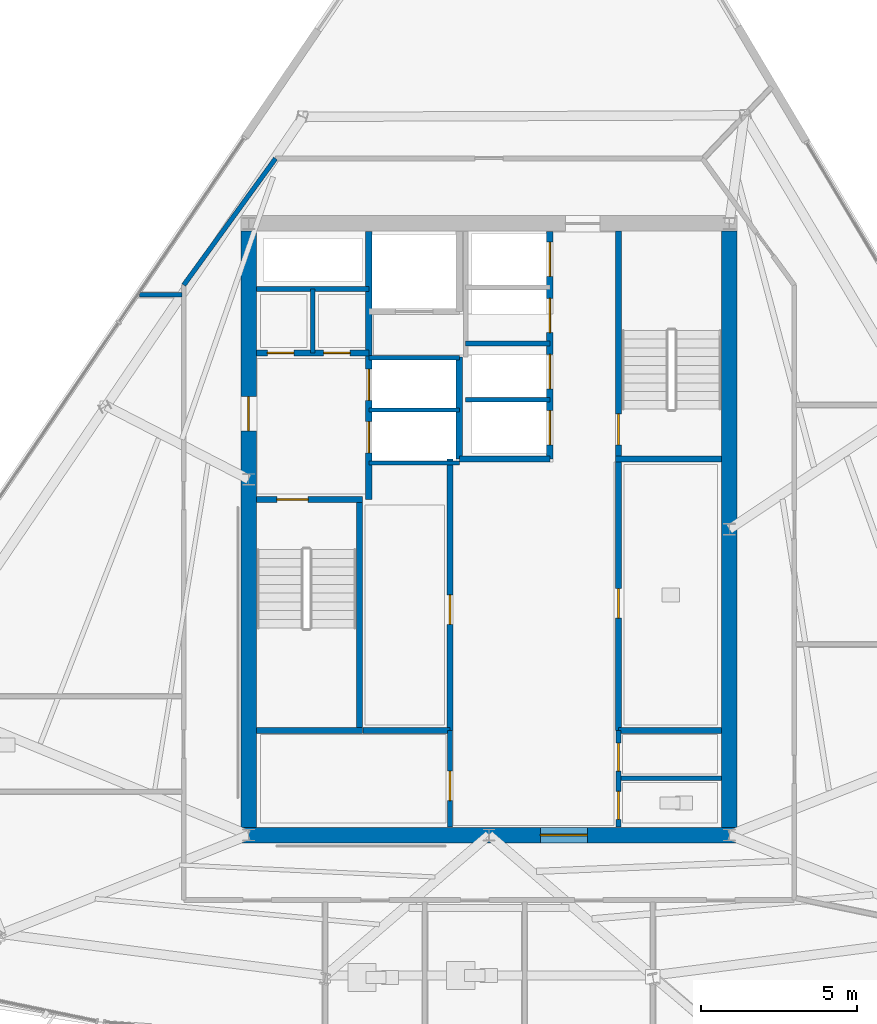
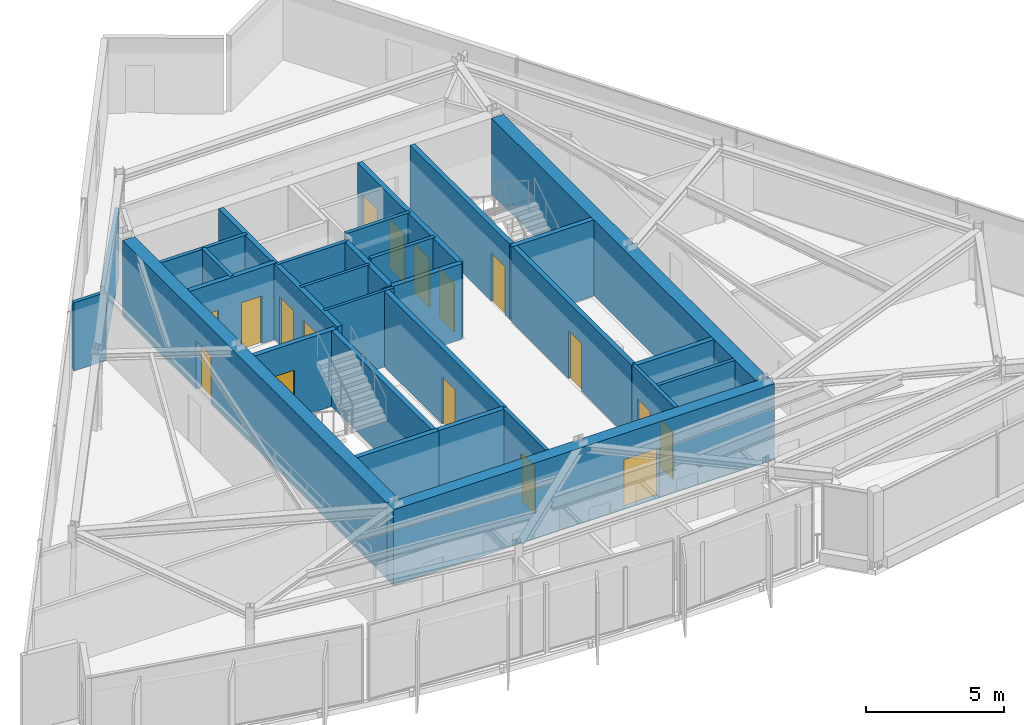
# One storey, part 7 of 12: 29 walls, 17 doors, 17 openings.
"""IFC4 building model written with IfcOpenShell, lengths in metres."""

from ifc_helpers import new_model, si_unit, direction, frame, frame_2d, origin, place, context, subcontext, project, spatial, rectangle, extrude, material, layer, layer_set, type_object, element, fill, save


model = new_model("IFC4")

# Units and contexts
model_context = context("Model", 3, precision=1e-05, world=origin(), true_north=direction((0.0, 1.0)))
body_context = subcontext(model_context, "Body", "Model", "MODEL_VIEW")
ifc_project = project(units=[si_unit("LENGTHUNIT", "METRE"), si_unit("AREAUNIT", "SQUARE_METRE"), si_unit("VOLUMEUNIT", "CUBIC_METRE"), si_unit("PLANEANGLEUNIT", "RADIAN"), si_unit("MASSUNIT", "GRAM", prefix="KILO")], contexts=[model_context])

# Site, building, storey
site_placement = place(None, origin())
site = spatial("IfcSite", under=ifc_project, at=site_placement, CompositionType="ELEMENT")
building_placement = place(site_placement, origin())
building = spatial("IfcBuilding", under=site, at=building_placement, Name="Savorim Split Tower", CompositionType="ELEMENT")
storey_placement = place(building_placement, frame((0.0, 0.0, 261.60009765625)))
storey = spatial("IfcBuildingStorey", under=building, at=storey_placement, Name="L69", CompositionType="ELEMENT", Elevation=261.60009765625)

# Wall, opening, door
ifc_material_1 = material(Name="Concrete C60/75", Category="concrete")
ifc_layer_1 = layer(ifc_material_1, 0.5)
ifc_layer_set_1 = layer_set([ifc_layer_1], Name="WAL-COR-SH500")
wall_type_1 = type_object("IfcWallType", Name="WAL-COR-SH500", PredefinedType="SHEAR", material=ifc_layer_set_1)
wall_1_placement = place(storey_placement, frame((-7.949951171875, -9.39990234375, 0.0), z_axis=(0.0, 0.0, 1.0), x_axis=(1.0, 0.0, 0.0)))
wall_1 = element("IfcWall", 1, at=wall_1_placement, inside=storey, type_object=wall_type_1, Name="L69 Offset Core South Shear Wall", PredefinedType="SHEAR", context=body_context, shape_type="SweptSolid", body=[
    extrude(rectangle(XDim=15.89990234375, YDim=0.5, at=frame_2d((7.949951171875, 0.0))), origin(), (0.0, 0.0, 1.0), 3.349853515625),
])
opening_1_placement = place(wall_1_placement, frame((9.60009765625, 0.0, 0.0)))
opening_1 = element("IfcOpeningElement", 2, at=opening_1_placement, cuts=wall_1, Name="Opening DI-02", PredefinedType="OPENING", context=body_context, shape_type="SweptSolid", body=[
    extrude(rectangle(XDim=1.5, YDim=2.199951171875, at=frame_2d((0.75, 1.10009765625))), frame((0.0, 0.260009765625, 0.0), z_axis=(0.0, -1.0, 0.0), x_axis=(1.0, 0.0, 0.0)), (0.0, 0.0, 1.0), 0.52001953125),
])
ifc_material_2 = material(Name="Timber Fire Door Leaf", Category="wood")
door_type_1 = type_object("IfcDoorType", Name="DOR-DBL-1500", OperationType="NOTDEFINED", PredefinedType="DOOR", material=ifc_material_2)
door_1_placement = place(opening_1_placement, origin())
door_1 = element("IfcDoor", 3, at=door_1_placement, inside=storey, type_object=door_type_1, Name="DOR-L69-COR-LLOB - L69 Lift Lobby Main Rated Door", OperationType="DOUBLE_DOOR_SINGLE_SWING", OverallHeight=2.199951171875, OverallWidth=1.5, PredefinedType="DOOR", context=body_context, shape_type="SweptSolid", body=[
    extrude(rectangle(XDim=1.5, YDim=2.199951171875, at=frame_2d((0.75, 1.10009765625))), frame((0.0, 0.02490234375, 0.0), z_axis=(0.0, -1.0, 0.0), x_axis=(1.0, 0.0, 0.0)), (0.0, 0.0, 1.0), 0.050048828125),
])
fill(opening_1, door_1)

wall_2_placement = place(storey_placement, frame((-7.699951171875, -9.14990234375, 0.0), z_axis=(0.0, 0.0, 1.0), x_axis=(0.0, 1.0, 0.0)))
wall_2 = element("IfcWall", 4, at=wall_2_placement, inside=storey, type_object=wall_type_1, Name="L69 Offset Core West Shear Wall", PredefinedType="SHEAR", context=body_context, shape_type="SweptSolid", body=[
    extrude(rectangle(XDim=19.099853515625, YDim=0.5, at=frame_2d((9.5498046875, 0.0))), origin(), (0.0, 0.0, 1.0), 3.349853515625),
])
opening_2_placement = place(wall_2_placement, frame((12.699951171875, 0.0, 0.0)))
opening_2 = element("IfcOpeningElement", 5, at=opening_2_placement, cuts=wall_2, Name="Opening DI-03", PredefinedType="OPENING", context=body_context, shape_type="SweptSolid", body=[
    extrude(rectangle(XDim=1.10009765625, YDim=2.14990234375, at=frame_2d((0.550048828125, 1.074951171875))), frame((0.0, 0.260009765625, 0.0), z_axis=(0.0, -1.0, 0.0), x_axis=(1.0, 0.0, 0.0)), (0.0, 0.0, 1.0), 0.52001953125),
])
door_type_2 = type_object("IfcDoorType", Name="DOR-FIR-1100", OperationType="NOTDEFINED", PredefinedType="DOOR", material=ifc_material_2)
door_2_placement = place(opening_2_placement, origin())
door_2 = element("IfcDoor", 6, at=door_2_placement, inside=storey, type_object=door_type_2, Name="DOR-L69-COR-FFLOB - L69 Firefighting Lobby Corridor Door", OperationType="SINGLE_SWING_LEFT", OverallHeight=2.14990234375, OverallWidth=1.10009765625, PredefinedType="DOOR", context=body_context, shape_type="SweptSolid", body=[
    extrude(rectangle(XDim=1.10009765625, YDim=2.14990234375, at=frame_2d((0.550048828125, 1.074951171875))), frame((0.0, 0.02490234375, 0.0), z_axis=(0.0, -1.0, 0.0), x_axis=(1.0, 0.0, 0.0)), (0.0, 0.0, 1.0), 0.050048828125),
])
fill(opening_2, door_2)

# Wall
wall_3_placement = place(storey_placement, frame((7.699951171875, 9.949951171875, 0.0), z_axis=(0.0, 0.0, 1.0), x_axis=(0.0, -1.0, 0.0)))
element("IfcWall", 7, at=wall_3_placement, inside=storey, type_object=wall_type_1, Name="L69 Offset Core East Shear Wall", PredefinedType="SHEAR", context=body_context, shape_type="SweptSolid", body=[
    extrude(rectangle(XDim=19.099853515625, YDim=0.5, at=frame_2d((9.5498046875, 0.0))), origin(), (0.0, 0.0, 1.0), 3.349853515625),
])

# Wall, opening, door
ifc_material_3 = material(Name="Concrete C50/60", Category="concrete")
ifc_layer_2 = layer(ifc_material_3, 0.199951171875)
ifc_layer_set_2 = layer_set([ifc_layer_2], Name="WAL-INT-RC200")
wall_type_2 = type_object("IfcWallType", Name="WAL-INT-RC200", PredefinedType="SOLIDWALL", material=ifc_layer_set_2)
wall_4_placement = place(storey_placement, frame((-7.449951171875, 1.35009765625, 0.0), z_axis=(0.0, 0.0, 1.0), x_axis=(1.0, 0.0, 0.0)))
wall_4 = element("IfcWall", 8, at=wall_4_placement, inside=storey, type_object=wall_type_2, Name="L69 Structural Shaft Wall W-L69-CR01", PredefinedType="SOLIDWALL", context=body_context, shape_type="SweptSolid", body=[
    extrude(rectangle(XDim=3.39990234375, YDim=0.199951171875, at=frame_2d((1.699951171875, 0.0))), origin(), (0.0, 0.0, 1.0), 3.349853515625),
])
opening_3_placement = place(wall_4_placement, frame((0.64990234375, 0.0, 0.0)))
opening_3 = element("IfcOpeningElement", 9, at=opening_3_placement, cuts=wall_4, Name="Opening DI-04", PredefinedType="OPENING", context=body_context, shape_type="SweptSolid", body=[
    extrude(rectangle(XDim=1.0, YDim=2.14990234375, at=frame_2d((0.5, 1.074951171875))), frame((0.0, 0.10986328125, 0.0), z_axis=(0.0, -1.0, 0.0), x_axis=(1.0, 0.0, 0.0)), (0.0, 0.0, 1.0), 0.219970703125),
])
door_type_3 = type_object("IfcDoorType", Name="DOR-FIR-1000", OperationType="NOTDEFINED", PredefinedType="DOOR", material=ifc_material_2)
door_3_placement = place(opening_3_placement, origin())
door_3 = element("IfcDoor", 10, at=door_3_placement, inside=storey, type_object=door_type_3, Name="DR-L69-ST1 - L69 Stair ST-1 Enclosure Door", OperationType="SINGLE_SWING_LEFT", OverallHeight=2.14990234375, OverallWidth=1.0, PredefinedType="DOOR", context=body_context, shape_type="SweptSolid", body=[
    extrude(rectangle(XDim=1.0, YDim=2.14990234375, at=frame_2d((0.5, 1.074951171875))), frame((0.0, 0.02490234375, 0.0), z_axis=(0.0, -1.0, 0.0), x_axis=(1.0, 0.0, 0.0)), (0.0, 0.0, 1.0), 0.050048828125),
])
fill(opening_3, door_3)

# Wall
wall_5_placement = place(storey_placement, frame((-4.14990234375, -5.949951171875, 0.0), z_axis=(0.0, 0.0, 1.0), x_axis=(0.0, 1.0, 0.0)))
element("IfcWall", 11, at=wall_5_placement, inside=storey, type_object=wall_type_2, Name="L69 Structural Shaft Wall W-L69-CR02", PredefinedType="SOLIDWALL", context=body_context, shape_type="SweptSolid", body=[
    extrude(rectangle(XDim=7.199951171875, YDim=0.199951171875, at=frame_2d((3.60009765625, 0.0))), origin(), (0.0, 0.0, 1.0), 3.349853515625),
])

# Wall, openings, doors
wall_6_placement = place(storey_placement, frame((-3.85009765625, 1.35009765625, 0.0), z_axis=(0.0, 0.0, 1.0), x_axis=(0.0, 1.0, 0.0)))
wall_6 = element("IfcWall", 12, at=wall_6_placement, inside=storey, type_object=wall_type_2, Name="L69 Partition W-L69-CR03", PredefinedType="SOLIDWALL", context=body_context, shape_type="SweptSolid", body=[
    extrude(rectangle(XDim=8.594970703125, YDim=0.199951171875, at=frame_2d((4.29736328125, 0.0))), origin(), (0.0, 0.0, 1.0), 3.349853515625),
])
opening_4_placement = place(wall_6_placement, frame((1.5, 0.0, 0.0)))
opening_4 = element("IfcOpeningElement", 13, at=opening_4_placement, cuts=wall_6, Name="Opening LD-FFL", PredefinedType="OPENING", context=body_context, shape_type="SweptSolid", body=[
    extrude(rectangle(XDim=1.0, YDim=2.14990234375, at=frame_2d((0.5, 1.074951171875))), frame((0.0, 0.10986328125, 0.0), z_axis=(0.0, -1.0, 0.0), x_axis=(1.0, 0.0, 0.0)), (0.0, 0.0, 1.0), 0.219970703125),
])
opening_5_placement = place(wall_6_placement, frame((3.179931640625, 0.0, 0.0)))
opening_5 = element("IfcOpeningElement", 14, at=opening_5_placement, cuts=wall_6, Name="Opening LD-FFL", PredefinedType="OPENING", context=body_context, shape_type="SweptSolid", body=[
    extrude(rectangle(XDim=1.0, YDim=2.14990234375, at=frame_2d((0.5, 1.074951171875))), frame((0.0, 0.10986328125, 0.0), z_axis=(0.0, -1.0, 0.0), x_axis=(1.0, 0.0, 0.0)), (0.0, 0.0, 1.0), 0.219970703125),
])
ifc_material_4 = material(Name="Charcoal Anodised Aluminium", Category="aluminium")
door_type_4 = type_object("IfcDoorType", Name="DOR-SLD-LD1000", OperationType="NOTDEFINED", PredefinedType="DOOR", material=ifc_material_4)
door_4_placement = place(opening_4_placement, origin())
door_4 = element("IfcDoor", 15, at=door_4_placement, inside=storey, type_object=door_type_4, Name="DR-L69-LD-FFL1 - L69 Firefighting Lift FFL-1 Sliding Landing Door", OperationType="DOUBLE_DOOR_SLIDING", OverallHeight=2.14990234375, OverallWidth=1.0, PredefinedType="DOOR", context=body_context, shape_type="SweptSolid", body=[
    extrude(rectangle(XDim=1.0, YDim=2.14990234375, at=frame_2d((0.5, 1.074951171875))), frame((0.0, 0.02490234375, 0.0), z_axis=(0.0, -1.0, 0.0), x_axis=(1.0, 0.0, 0.0)), (0.0, 0.0, 1.0), 0.050048828125),
])
fill(opening_4, door_4)
door_5_placement = place(opening_5_placement, origin())
door_5 = element("IfcDoor", 16, at=door_5_placement, inside=storey, type_object=door_type_4, Name="DR-L69-LD-FFL2 - L69 Firefighting Lift FFL-2 Sliding Landing Door", OperationType="DOUBLE_DOOR_SLIDING", OverallHeight=2.14990234375, OverallWidth=1.0, PredefinedType="DOOR", context=body_context, shape_type="SweptSolid", body=[
    extrude(rectangle(XDim=1.0, YDim=2.14990234375, at=frame_2d((0.5, 1.074951171875))), frame((0.0, 0.02490234375, 0.0), z_axis=(0.0, -1.0, 0.0), x_axis=(1.0, 0.0, 0.0)), (0.0, 0.0, 1.0), 0.050048828125),
])
fill(opening_5, door_5)

wall_7_placement = place(storey_placement, frame((-7.445068359375, 6.050048828125, 0.0), z_axis=(0.0, 0.0, 1.0), x_axis=(1.0, 0.0, 0.0)))
wall_7 = element("IfcWall", 17, at=wall_7_placement, inside=storey, type_object=wall_type_2, Name="L69 Partition W-L69-CR04", PredefinedType="SOLIDWALL", context=body_context, shape_type="SweptSolid", body=[
    extrude(rectangle(XDim=3.594970703125, YDim=0.199951171875, at=frame_2d((1.79736328125, 0.0))), origin(), (0.0, 0.0, 1.0), 3.349853515625),
])
opening_6_placement = place(wall_7_placement, frame((0.344970703125, 0.0, 0.0)))
opening_6 = element("IfcOpeningElement", 18, at=opening_6_placement, cuts=wall_7, Name="Opening DI-12", PredefinedType="OPENING", context=body_context, shape_type="SweptSolid", body=[
    extrude(rectangle(XDim=0.85009765625, YDim=2.10009765625, at=frame_2d((0.425048828125, 1.050048828125))), frame((0.0, 0.10986328125, 0.0), z_axis=(0.0, -1.0, 0.0), x_axis=(1.0, 0.0, 0.0)), (0.0, 0.0, 1.0), 0.219970703125),
])
opening_7_placement = place(wall_7_placement, frame((2.14501953125, 0.0, 0.0)))
opening_7 = element("IfcOpeningElement", 19, at=opening_7_placement, cuts=wall_7, Name="Opening DI-12", PredefinedType="OPENING", context=body_context, shape_type="SweptSolid", body=[
    extrude(rectangle(XDim=0.85009765625, YDim=2.10009765625, at=frame_2d((0.425048828125, 1.050048828125))), frame((0.0, 0.10986328125, 0.0), z_axis=(0.0, -1.0, 0.0), x_axis=(1.0, 0.0, 0.0)), (0.0, 0.0, 1.0), 0.219970703125),
])
ifc_material_5 = material(Name="Galvanised Painted Steel Balustrade", Category="steel")
door_type_5 = type_object("IfcDoorType", Name="DOR-RIS-850", OperationType="NOTDEFINED", PredefinedType="DOOR", material=ifc_material_5)
door_6_placement = place(opening_6_placement, origin())
door_6 = element("IfcDoor", 20, at=door_6_placement, inside=storey, type_object=door_type_5, Name="DR-L69-ELR - L69 Electrical Riser Access Door", OperationType="SINGLE_SWING_RIGHT", OverallHeight=2.10009765625, OverallWidth=0.85009765625, PredefinedType="DOOR", context=body_context, shape_type="SweptSolid", body=[
    extrude(rectangle(XDim=0.85009765625, YDim=2.10009765625, at=frame_2d((0.425048828125, 1.050048828125))), frame((0.0, 0.02490234375, 0.0), z_axis=(0.0, -1.0, 0.0), x_axis=(1.0, 0.0, 0.0)), (0.0, 0.0, 1.0), 0.050048828125),
])
fill(opening_6, door_6)
door_7_placement = place(opening_7_placement, origin())
door_7 = element("IfcDoor", 21, at=door_7_placement, inside=storey, type_object=door_type_5, Name="DR-L69-TLR - L69 Telecom Riser Access Door", OperationType="SINGLE_SWING_LEFT", OverallHeight=2.10009765625, OverallWidth=0.85009765625, PredefinedType="DOOR", context=body_context, shape_type="SweptSolid", body=[
    extrude(rectangle(XDim=0.85009765625, YDim=2.10009765625, at=frame_2d((0.425048828125, 1.050048828125))), frame((0.0, 0.02490234375, 0.0), z_axis=(0.0, -1.0, 0.0), x_axis=(1.0, 0.0, 0.0)), (0.0, 0.0, 1.0), 0.050048828125),
])
fill(opening_7, door_7)

# Wall, opening, door
wall_8_placement = place(storey_placement, frame((4.14990234375, 2.75, 0.0), z_axis=(0.0, 0.0, 1.0), x_axis=(0.0, 1.0, 0.0)))
wall_8 = element("IfcWall", 22, at=wall_8_placement, inside=storey, type_object=wall_type_2, Name="L69 Structural Shaft Wall W-L69-CR07", PredefinedType="SOLIDWALL", context=body_context, shape_type="SweptSolid", body=[
    extrude(rectangle(XDim=7.199951171875, YDim=0.199951171875, at=frame_2d((3.60009765625, 0.0))), origin(), (0.0, 0.0, 1.0), 3.349853515625),
])
opening_8_placement = place(wall_8_placement, frame((0.35009765625, 0.0, 0.0)))
opening_8 = element("IfcOpeningElement", 23, at=opening_8_placement, cuts=wall_8, Name="Opening DI-04", PredefinedType="OPENING", context=body_context, shape_type="SweptSolid", body=[
    extrude(rectangle(XDim=1.0, YDim=2.14990234375, at=frame_2d((0.5, 1.074951171875))), frame((0.0, 0.10986328125, 0.0), z_axis=(0.0, -1.0, 0.0), x_axis=(1.0, 0.0, 0.0)), (0.0, 0.0, 1.0), 0.219970703125),
])
door_8_placement = place(opening_8_placement, origin())
door_8 = element("IfcDoor", 24, at=door_8_placement, inside=storey, type_object=door_type_3, Name="DR-L69-ST2 - L69 Stair ST-2 Enclosure Door", OperationType="SINGLE_SWING_RIGHT", OverallHeight=2.14990234375, OverallWidth=1.0, PredefinedType="DOOR", context=body_context, shape_type="SweptSolid", body=[
    extrude(rectangle(XDim=1.0, YDim=2.14990234375, at=frame_2d((0.5, 1.074951171875))), frame((0.0, 0.02490234375, 0.0), z_axis=(0.0, -1.0, 0.0), x_axis=(1.0, 0.0, 0.0)), (0.0, 0.0, 1.0), 0.050048828125),
])
fill(opening_8, door_8)

# Walls
wall_9_placement = place(storey_placement, frame((4.050048828125, 2.64990234375, 0.0), z_axis=(0.0, 0.0, 1.0), x_axis=(1.0, 0.0, 0.0)))
element("IfcWall", 25, at=wall_9_placement, inside=storey, type_object=wall_type_2, Name="L69 Structural Shaft Wall W-L69-CR08", PredefinedType="SOLIDWALL", context=body_context, shape_type="SweptSolid", body=[
    extrude(rectangle(XDim=3.39990234375, YDim=0.199951171875, at=frame_2d((1.699951171875, 0.0))), origin(), (0.0, 0.0, 1.0), 3.349853515625),
])
wall_10_placement = place(storey_placement, frame((-0.949951171875, 2.64990234375, 0.0), z_axis=(0.0, 0.0, 1.0), x_axis=(0.0, 1.0, 0.0)))
element("IfcWall", 26, at=wall_10_placement, inside=storey, type_object=wall_type_2, Name="L69 Partition W-L69-FFLW", PredefinedType="SOLIDWALL", context=body_context, shape_type="SweptSolid", body=[
    extrude(rectangle(XDim=3.27001953125, YDim=0.199951171875, at=frame_2d((1.635009765625, 0.0))), origin(), (0.0, 0.0, 1.0), 3.349853515625),
])

# Wall, opening, door
wall_11_placement = place(storey_placement, frame((4.14990234375, -6.050048828125, 0.0), z_axis=(0.0, 0.0, 1.0), x_axis=(0.0, 1.0, 0.0)))
wall_11 = element("IfcWall", 27, at=wall_11_placement, inside=storey, type_object=wall_type_2, Name="L69 Partition W-L69-B1FRONT", PredefinedType="SOLIDWALL", context=body_context, shape_type="SweptSolid", body=[
    extrude(rectangle(XDim=8.699951171875, YDim=0.199951171875, at=frame_2d((4.35009765625, 0.0))), origin(), (0.0, 0.0, 1.0), 3.349853515625),
])
opening_9_placement = place(wall_11_placement, frame((3.60009765625, 0.0, 0.0)))
opening_9 = element("IfcOpeningElement", 28, at=opening_9_placement, cuts=wall_11, Name="Opening DI-05", PredefinedType="OPENING", context=body_context, shape_type="SweptSolid", body=[
    extrude(rectangle(XDim=0.949951171875, YDim=2.10009765625, at=frame_2d((0.47509765625, 1.050048828125))), frame((0.0, 0.10986328125, 0.0), z_axis=(0.0, -1.0, 0.0), x_axis=(1.0, 0.0, 0.0)), (0.0, 0.0, 1.0), 0.219970703125),
])
door_type_6 = type_object("IfcDoorType", Name="DOR-FIR-950", OperationType="NOTDEFINED", PredefinedType="DOOR", material=ifc_material_2)
door_9_placement = place(opening_9_placement, origin())
door_9 = element("IfcDoor", 29, at=door_9_placement, inside=storey, type_object=door_type_6, Name="DR-L69-LV7B1 - L69 Community Laundry Room Door", OperationType="SINGLE_SWING_RIGHT", OverallHeight=2.10009765625, OverallWidth=0.949951171875, PredefinedType="DOOR", context=body_context, shape_type="SweptSolid", body=[
    extrude(rectangle(XDim=0.949951171875, YDim=2.10009765625, at=frame_2d((0.47509765625, 1.050048828125))), frame((0.0, 0.02490234375, 0.0), z_axis=(0.0, -1.0, 0.0), x_axis=(1.0, 0.0, 0.0)), (0.0, 0.0, 1.0), 0.050048828125),
])
fill(opening_9, door_9)

wall_12_placement = place(storey_placement, frame((-1.25, -6.050048828125, 0.0), z_axis=(0.0, 0.0, 1.0), x_axis=(0.0, 1.0, 0.0)))
wall_12 = element("IfcWall", 30, at=wall_12_placement, inside=storey, type_object=wall_type_2, Name="L69 Partition W-L69-B2FRONT", PredefinedType="SOLIDWALL", context=body_context, shape_type="SweptSolid", body=[
    extrude(rectangle(XDim=8.699951171875, YDim=0.199951171875, at=frame_2d((4.35009765625, 0.0))), origin(), (0.0, 0.0, 1.0), 3.349853515625),
])
opening_10_placement = place(wall_12_placement, frame((3.39990234375, 0.0, 0.0)))
opening_10 = element("IfcOpeningElement", 31, at=opening_10_placement, cuts=wall_12, Name="Opening DI-05", PredefinedType="OPENING", context=body_context, shape_type="SweptSolid", body=[
    extrude(rectangle(XDim=0.949951171875, YDim=2.10009765625, at=frame_2d((0.47509765625, 1.050048828125))), frame((0.0, 0.10986328125, 0.0), z_axis=(0.0, -1.0, 0.0), x_axis=(1.0, 0.0, 0.0)), (0.0, 0.0, 1.0), 0.219970703125),
])
door_10_placement = place(opening_10_placement, origin())
door_10 = element("IfcDoor", 32, at=door_10_placement, inside=storey, type_object=door_type_6, Name="DR-L69-LV7B2 - L69 Quiet Study Room Door", OperationType="SINGLE_SWING_LEFT", OverallHeight=2.10009765625, OverallWidth=0.949951171875, PredefinedType="DOOR", context=body_context, shape_type="SweptSolid", body=[
    extrude(rectangle(XDim=0.949951171875, YDim=2.10009765625, at=frame_2d((0.47509765625, 1.050048828125))), frame((0.0, 0.02490234375, 0.0), z_axis=(0.0, -1.0, 0.0), x_axis=(1.0, 0.0, 0.0)), (0.0, 0.0, 1.0), 0.050048828125),
])
fill(opening_10, door_10)

# Wall, openings, doors
wall_13_placement = place(storey_placement, frame((1.949951171875, 2.64990234375, 0.0), z_axis=(0.0, 0.0, 1.0), x_axis=(0.0, 1.0, 0.0)))
wall_13 = element("IfcWall", 33, at=wall_13_placement, inside=storey, type_object=wall_type_2, Name="L69 Partition W-L69-B3FRONT", PredefinedType="SOLIDWALL", context=body_context, shape_type="SweptSolid", body=[
    extrude(rectangle(XDim=7.295166015625, YDim=0.199951171875, at=frame_2d((3.6474609375, 0.0))), origin(), (0.0, 0.0, 1.0), 3.349853515625),
])
opening_11_placement = place(wall_13_placement, frame((0.449951171875, 0.0, 0.0)))
opening_11 = element("IfcOpeningElement", 34, at=opening_11_placement, cuts=wall_13, Name="Opening LD-03", PredefinedType="OPENING", context=body_context, shape_type="SweptSolid", body=[
    extrude(rectangle(XDim=1.10009765625, YDim=2.14990234375, at=frame_2d((0.550048828125, 1.074951171875))), frame((0.0, 0.10986328125, 0.0), z_axis=(0.0, -1.0, 0.0), x_axis=(1.0, 0.0, 0.0)), (0.0, 0.0, 1.0), 0.219970703125),
])
opening_12_placement = place(wall_13_placement, frame((2.25, 0.0, 0.0)))
opening_12 = element("IfcOpeningElement", 35, at=opening_12_placement, cuts=wall_13, Name="Opening LD-03", PredefinedType="OPENING", context=body_context, shape_type="SweptSolid", body=[
    extrude(rectangle(XDim=1.10009765625, YDim=2.14990234375, at=frame_2d((0.550048828125, 1.074951171875))), frame((0.0, 0.10986328125, 0.0), z_axis=(0.0, -1.0, 0.0), x_axis=(1.0, 0.0, 0.0)), (0.0, 0.0, 1.0), 0.219970703125),
])
opening_13_placement = place(wall_13_placement, frame((4.050048828125, 0.0, 0.0)))
opening_13 = element("IfcOpeningElement", 36, at=opening_13_placement, cuts=wall_13, Name="Opening LD-03", PredefinedType="OPENING", context=body_context, shape_type="SweptSolid", body=[
    extrude(rectangle(XDim=1.10009765625, YDim=2.14990234375, at=frame_2d((0.550048828125, 1.074951171875))), frame((0.0, 0.10986328125, 0.0), z_axis=(0.0, -1.0, 0.0), x_axis=(1.0, 0.0, 0.0)), (0.0, 0.0, 1.0), 0.219970703125),
])
opening_14_placement = place(wall_13_placement, frame((5.85009765625, 0.0, 0.0)))
opening_14 = element("IfcOpeningElement", 37, at=opening_14_placement, cuts=wall_13, Name="Opening LD-03", PredefinedType="OPENING", context=body_context, shape_type="SweptSolid", body=[
    extrude(rectangle(XDim=1.10009765625, YDim=2.14990234375, at=frame_2d((0.550048828125, 1.074951171875))), frame((0.0, 0.10986328125, 0.0), z_axis=(0.0, -1.0, 0.0), x_axis=(1.0, 0.0, 0.0)), (0.0, 0.0, 1.0), 0.219970703125),
])
door_type_7 = type_object("IfcDoorType", Name="DOR-SLD-LDH1100", OperationType="NOTDEFINED", PredefinedType="DOOR", material=ifc_material_4)
door_11_placement = place(opening_11_placement, origin())
door_11 = element("IfcDoor", 38, at=door_11_placement, inside=storey, type_object=door_type_7, Name="DR-L69-LD-PLH1 - L69 Lift PL-H1 Sliding Landing Door", OperationType="DOUBLE_DOOR_SLIDING", OverallHeight=2.14990234375, OverallWidth=1.10009765625, PredefinedType="DOOR", context=body_context, shape_type="SweptSolid", body=[
    extrude(rectangle(XDim=1.10009765625, YDim=2.14990234375, at=frame_2d((0.550048828125, 1.074951171875))), frame((0.0, 0.02490234375, 0.0), z_axis=(0.0, -1.0, 0.0), x_axis=(1.0, 0.0, 0.0)), (0.0, 0.0, 1.0), 0.050048828125),
])
fill(opening_11, door_11)
door_12_placement = place(opening_12_placement, origin())
door_12 = element("IfcDoor", 39, at=door_12_placement, inside=storey, type_object=door_type_7, Name="DR-L69-LD-PLH2 - L69 Lift PL-H2 Sliding Landing Door", OperationType="DOUBLE_DOOR_SLIDING", OverallHeight=2.14990234375, OverallWidth=1.10009765625, PredefinedType="DOOR", context=body_context, shape_type="SweptSolid", body=[
    extrude(rectangle(XDim=1.10009765625, YDim=2.14990234375, at=frame_2d((0.550048828125, 1.074951171875))), frame((0.0, 0.02490234375, 0.0), z_axis=(0.0, -1.0, 0.0), x_axis=(1.0, 0.0, 0.0)), (0.0, 0.0, 1.0), 0.050048828125),
])
fill(opening_12, door_12)
door_13_placement = place(opening_13_placement, origin())
door_13 = element("IfcDoor", 40, at=door_13_placement, inside=storey, type_object=door_type_7, Name="DR-L69-LD-PLH3 - L69 Lift PL-H3 Sliding Landing Door", OperationType="DOUBLE_DOOR_SLIDING", OverallHeight=2.14990234375, OverallWidth=1.10009765625, PredefinedType="DOOR", context=body_context, shape_type="SweptSolid", body=[
    extrude(rectangle(XDim=1.10009765625, YDim=2.14990234375, at=frame_2d((0.550048828125, 1.074951171875))), frame((0.0, 0.02490234375, 0.0), z_axis=(0.0, -1.0, 0.0), x_axis=(1.0, 0.0, 0.0)), (0.0, 0.0, 1.0), 0.050048828125),
])
fill(opening_13, door_13)
door_14_placement = place(opening_14_placement, origin())
door_14 = element("IfcDoor", 41, at=door_14_placement, inside=storey, type_object=door_type_7, Name="DR-L69-LD-PLH4 - L69 Lift PL-H4 Sliding Landing Door", OperationType="DOUBLE_DOOR_SLIDING", OverallHeight=2.14990234375, OverallWidth=1.10009765625, PredefinedType="DOOR", context=body_context, shape_type="SweptSolid", body=[
    extrude(rectangle(XDim=1.10009765625, YDim=2.14990234375, at=frame_2d((0.550048828125, 1.074951171875))), frame((0.0, 0.02490234375, 0.0), z_axis=(0.0, -1.0, 0.0), x_axis=(1.0, 0.0, 0.0)), (0.0, 0.0, 1.0), 0.050048828125),
])
fill(opening_14, door_14)

# Walls
wall_14_placement = place(storey_placement, frame((-0.949951171875, 2.64990234375, 0.0), z_axis=(0.0, 0.0, 1.0), x_axis=(1.0, 0.0, 0.0)))
element("IfcWall", 42, at=wall_14_placement, inside=storey, type_object=wall_type_2, Name="L69 Partition W-L69-B3SOUTH", PredefinedType="SOLIDWALL", context=body_context, shape_type="SweptSolid", body=[
    extrude(rectangle(XDim=2.89990234375, YDim=0.199951171875, at=frame_2d((1.449951171875, 0.0))), origin(), (0.0, 0.0, 1.0), 3.349853515625),
])
wall_15_placement = place(storey_placement, frame((-7.449951171875, -6.050048828125, 0.0), z_axis=(0.0, 0.0, 1.0), x_axis=(1.0, 0.0, 0.0)))
element("IfcWall", 43, at=wall_15_placement, inside=storey, type_object=wall_type_2, Name="L69 Structural Shaft Wall W-L69-KSEP-W", PredefinedType="SOLIDWALL", context=body_context, shape_type="SweptSolid", body=[
    extrude(rectangle(XDim=3.39990234375, YDim=0.199951171875, at=frame_2d((1.699951171875, 0.0))), origin(), (0.0, 0.0, 1.0), 3.349853515625),
])
wall_16_placement = place(storey_placement, frame((-4.0400390625, -6.050048828125, 0.0), z_axis=(0.0, 0.0, 1.0), x_axis=(1.0, 0.0, 0.0)))
element("IfcWall", 44, at=wall_16_placement, inside=storey, type_object=wall_type_2, Name="L69 Partition W-L69-KSEP-W2", PredefinedType="SOLIDWALL", context=body_context, shape_type="SweptSolid", body=[
    extrude(rectangle(XDim=2.7900390625, YDim=0.199951171875, at=frame_2d((1.39501953125, 0.0))), origin(), (0.0, 0.0, 1.0), 3.349853515625),
])
wall_17_placement = place(storey_placement, frame((4.14990234375, -6.050048828125, 0.0), z_axis=(0.0, 0.0, 1.0), x_axis=(1.0, 0.0, 0.0)))
element("IfcWall", 45, at=wall_17_placement, inside=storey, type_object=wall_type_2, Name="L69 Partition W-L69-KSEP-E", PredefinedType="SOLIDWALL", context=body_context, shape_type="SweptSolid", body=[
    extrude(rectangle(XDim=3.295166015625, YDim=0.199951171875, at=frame_2d((1.6474609375, 0.0))), origin(), (0.0, 0.0, 1.0), 3.349853515625),
])
ifc_material_6 = material(Name="Acoustic Gypsum Partition Board")
ifc_layer_3 = layer(ifc_material_6, 0.1201171875)
ifc_layer_set_3 = layer_set([ifc_layer_3], Name="WAL-PAR-120")
wall_type_3 = type_object("IfcWallType", Name="WAL-PAR-120", PredefinedType="PARTITIONING", material=ifc_layer_set_3)
for number, where, z_axis, x_axis, name in (
    (46, (-3.85009765625, 2.52001953125, 0.0), (0.0, 0.0, 1.0), (1.0, 0.0, 0.0), "L69 Partition W-L69-FFLD0"),
    (47, (-3.85009765625, 4.219970703125, 0.0), (0.0, 0.0, 1.0), (1.0, 0.0, 0.0), "L69 Partition W-L69-FFLD1"),
):
    element("IfcWall", number, at=place(storey_placement, frame(where, z_axis=z_axis, x_axis=x_axis)), inside=storey, type_object=wall_type_3, Name=name, PredefinedType="PARTITIONING", context=body_context, shape_type="SweptSolid", body=[
        extrude(rectangle(XDim=2.900146484375, YDim=0.1201171875, at=frame_2d((1.4501953125, 0.0))), origin(), (0.0, 0.0, 1.0), 3.349853515625),
    ])
ifc_layer_4 = layer(ifc_material_6, 0.14990234375)
ifc_layer_set_4 = layer_set([ifc_layer_4], Name="WAL-PAR-150")
wall_type_4 = type_object("IfcWallType", Name="WAL-PAR-150", PredefinedType="PARTITIONING", material=ifc_layer_set_4)
wall_18_placement = place(storey_placement, frame((-7.445068359375, 8.10009765625, 0.0), z_axis=(0.0, 0.0, 1.0), x_axis=(1.0, 0.0, 0.0)))
element("IfcWall", 48, at=wall_18_placement, inside=storey, type_object=wall_type_4, Name="L69 Partition W-L69-CR05", PredefinedType="PARTITIONING", context=body_context, shape_type="SweptSolid", body=[
    extrude(rectangle(XDim=3.594970703125, YDim=0.14990234375, at=frame_2d((1.79736328125, 0.0))), origin(), (0.0, 0.0, 1.0), 3.349853515625),
])
wall_19_placement = place(storey_placement, frame((-5.64990234375, 6.050048828125, 0.0), z_axis=(0.0, 0.0, 1.0), x_axis=(0.0, 1.0, 0.0)))
element("IfcWall", 49, at=wall_19_placement, inside=storey, type_object=wall_type_4, Name="L69 Partition W-L69-CR06", PredefinedType="PARTITIONING", context=body_context, shape_type="SweptSolid", body=[
    extrude(rectangle(XDim=2.050048828125, YDim=0.14990234375, at=frame_2d((1.02490234375, 0.0))), origin(), (0.0, 0.0, 1.0), 3.349853515625),
])
wall_20_placement = place(storey_placement, frame((-3.85009765625, 5.89990234375, 0.0), z_axis=(0.0, 0.0, 1.0), x_axis=(1.0, 0.0, 0.0)))
element("IfcWall", 50, at=wall_20_placement, inside=storey, type_object=wall_type_4, Name="L69 Partition W-L69-FFLD2", PredefinedType="PARTITIONING", context=body_context, shape_type="SweptSolid", body=[
    extrude(rectangle(XDim=2.900146484375, YDim=0.14990234375, at=frame_2d((1.4501953125, 0.0))), origin(), (0.0, 0.0, 1.0), 3.349853515625),
])
for number, where, z_axis, x_axis, name in (
    (51, (-0.75, 4.550048828125, 0.0), (0.0, 0.0, 1.0), (1.0, 0.0, 0.0), "L69 Partition W-L69-B3DIV1"),
    (52, (-0.75, 6.35009765625, 0.0), (0.0, 0.0, 1.0), (1.0, 0.0, 0.0), "L69 Partition W-L69-B3DIV2"),
):
    element("IfcWall", number, at=place(storey_placement, frame(where, z_axis=z_axis, x_axis=x_axis)), inside=storey, type_object=wall_type_4, Name=name, PredefinedType="PARTITIONING", context=body_context, shape_type="SweptSolid", body=[
        extrude(rectangle(XDim=2.699951171875, YDim=0.14990234375, at=frame_2d((1.35009765625, 0.0))), origin(), (0.0, 0.0, 1.0), 3.349853515625),
    ])

# Wall, opening, door
wall_21_placement = place(storey_placement, frame((-1.25, -9.14501953125, 0.0), z_axis=(0.0, 0.0, 1.0), x_axis=(0.0, 1.0, 0.0)))
wall_21 = element("IfcWall", 53, at=wall_21_placement, inside=storey, type_object=wall_type_4, Name="L69 Partition W-L69-KLOB-W", PredefinedType="PARTITIONING", context=body_context, shape_type="SweptSolid", body=[
    extrude(rectangle(XDim=3.094970703125, YDim=0.14990234375, at=frame_2d((1.54736328125, 0.0))), origin(), (0.0, 0.0, 1.0), 3.349853515625),
])
opening_15_placement = place(wall_21_placement, frame((0.844970703125, 0.0, 0.0)))
opening_15 = element("IfcOpeningElement", 54, at=opening_15_placement, cuts=wall_21, Name="Opening DI-05", PredefinedType="OPENING", context=body_context, shape_type="SweptSolid", body=[
    extrude(rectangle(XDim=0.949951171875, YDim=2.10009765625, at=frame_2d((0.47509765625, 1.050048828125))), frame((0.0, 0.0849609375, 0.0), z_axis=(0.0, -1.0, 0.0), x_axis=(1.0, 0.0, 0.0)), (0.0, 0.0, 1.0), 0.169921875),
])
door_15_placement = place(opening_15_placement, origin())
door_15 = element("IfcDoor", 55, at=door_15_placement, inside=storey, type_object=door_type_6, Name="DR-L69-K3LIN - L69 Housekeeping Store Door", OperationType="SINGLE_SWING_LEFT", OverallHeight=2.10009765625, OverallWidth=0.949951171875, PredefinedType="DOOR", context=body_context, shape_type="SweptSolid", body=[
    extrude(rectangle(XDim=0.949951171875, YDim=2.10009765625, at=frame_2d((0.47509765625, 1.050048828125))), frame((0.0, 0.02490234375, 0.0), z_axis=(0.0, -1.0, 0.0), x_axis=(1.0, 0.0, 0.0)), (0.0, 0.0, 1.0), 0.050048828125),
])
fill(opening_15, door_15)

# Wall, openings, doors
wall_22_placement = place(storey_placement, frame((4.14990234375, -9.14501953125, 0.0), z_axis=(0.0, 0.0, 1.0), x_axis=(0.0, 1.0, 0.0)))
wall_22 = element("IfcWall", 56, at=wall_22_placement, inside=storey, type_object=wall_type_4, Name="L69 Partition W-L69-KLOB-E", PredefinedType="PARTITIONING", context=body_context, shape_type="SweptSolid", body=[
    extrude(rectangle(XDim=3.094970703125, YDim=0.14990234375, at=frame_2d((1.54736328125, 0.0))), origin(), (0.0, 0.0, 1.0), 3.349853515625),
])
opening_16_placement = place(wall_22_placement, frame((0.2451171875, 0.0, 0.0)))
opening_16 = element("IfcOpeningElement", 57, at=opening_16_placement, cuts=wall_22, Name="Opening DI-11", PredefinedType="OPENING", context=body_context, shape_type="SweptSolid", body=[
    extrude(rectangle(XDim=0.89990234375, YDim=2.10009765625, at=frame_2d((0.449951171875, 1.050048828125))), frame((0.0, 0.0849609375, 0.0), z_axis=(0.0, -1.0, 0.0), x_axis=(1.0, 0.0, 0.0)), (0.0, 0.0, 1.0), 0.169921875),
])
opening_17_placement = place(wall_22_placement, frame((1.794921875, 0.0, 0.0)))
opening_17 = element("IfcOpeningElement", 58, at=opening_17_placement, cuts=wall_22, Name="Opening DI-06", PredefinedType="OPENING", context=body_context, shape_type="SweptSolid", body=[
    extrude(rectangle(XDim=0.89990234375, YDim=2.10009765625, at=frame_2d((0.449951171875, 1.050048828125))), frame((0.0, 0.0849609375, 0.0), z_axis=(0.0, -1.0, 0.0), x_axis=(1.0, 0.0, 0.0)), (0.0, 0.0, 1.0), 0.169921875),
])
door_type_8 = type_object("IfcDoorType", Name="DOR-FIR-900", OperationType="NOTDEFINED", PredefinedType="DOOR", material=ifc_material_2)
door_16_placement = place(opening_17_placement, origin())
door_16 = element("IfcDoor", 59, at=door_16_placement, inside=storey, type_object=door_type_8, Name="DR-L69-K3LCK - L69 Cleaning Store Door", OperationType="SINGLE_SWING_LEFT", OverallHeight=2.10009765625, OverallWidth=0.89990234375, PredefinedType="DOOR", context=body_context, shape_type="SweptSolid", body=[
    extrude(rectangle(XDim=0.89990234375, YDim=2.10009765625, at=frame_2d((0.449951171875, 1.050048828125))), frame((0.0, 0.02490234375, 0.0), z_axis=(0.0, -1.0, 0.0), x_axis=(1.0, 0.0, 0.0)), (0.0, 0.0, 1.0), 0.050048828125),
])
fill(opening_17, door_16)
ifc_material_7 = material(Name="Oak Veneer Acoustic Door")
door_type_9 = type_object("IfcDoorType", Name="DOR-WC-900", OperationType="NOTDEFINED", PredefinedType="DOOR", material=ifc_material_7)
door_17_placement = place(opening_16_placement, origin())
door_17 = element("IfcDoor", 60, at=door_17_placement, inside=storey, type_object=door_type_9, Name="DR-L69-K3AWC - L69 Core Accessible WC Door", OperationType="SINGLE_SWING_RIGHT", OverallHeight=2.10009765625, OverallWidth=0.89990234375, PredefinedType="DOOR", context=body_context, shape_type="SweptSolid", body=[
    extrude(rectangle(XDim=0.89990234375, YDim=2.10009765625, at=frame_2d((0.449951171875, 1.050048828125))), frame((0.0, 0.02490234375, 0.0), z_axis=(0.0, -1.0, 0.0), x_axis=(1.0, 0.0, 0.0)), (0.0, 0.0, 1.0), 0.050048828125),
])
fill(opening_16, door_17)

# Walls
wall_23_placement = place(storey_placement, frame((4.14990234375, -7.580078125, 0.0), z_axis=(0.0, 0.0, 1.0), x_axis=(1.0, 0.0, 0.0)))
element("IfcWall", 61, at=wall_23_placement, inside=storey, type_object=wall_type_4, Name="L69 Partition W-L69-K3H", PredefinedType="PARTITIONING", context=body_context, shape_type="SweptSolid", body=[
    extrude(rectangle(XDim=3.295166015625, YDim=0.14990234375, at=frame_2d((1.6474609375, 0.0))), origin(), (0.0, 0.0, 1.0), 3.349853515625),
])
wall_24_placement = place(storey_placement, frame((-9.780029296875, 8.225830078125, 0.0), z_axis=(0.0, 0.0, 1.0), x_axis=(0.586956386413, 0.809618552436, 0.0)))
element("IfcWall", 62, at=wall_24_placement, inside=storey, type_object=wall_type_4, Name="L69 Partition W-L69-COR-02", PredefinedType="PARTITIONING", context=body_context, shape_type="SweptSolid", body=[
    extrude(rectangle(XDim=5.007568359375, YDim=0.14990234375, at=frame_2d((2.50390625, 0.0))), origin(), (0.0, 0.0, 1.0), 2.994873046875),
])
wall_25_placement = place(storey_placement, frame((-9.840087890625, 7.910400390625, 0.0), z_axis=(0.0, 0.0, 1.0), x_axis=(-1.0, 0.0, 0.0)))
element("IfcWall", 63, at=wall_25_placement, inside=storey, type_object=wall_type_4, Name="L69 Partition W-L69-SUB04", PredefinedType="PARTITIONING", context=body_context, shape_type="SweptSolid", body=[
    extrude(rectangle(XDim=1.359130859375, YDim=0.14990234375, at=frame_2d((0.6796875, 0.0))), origin(), (0.0, 0.0, 1.0), 3.014892578125),
])

save(model, "model.ifc")
